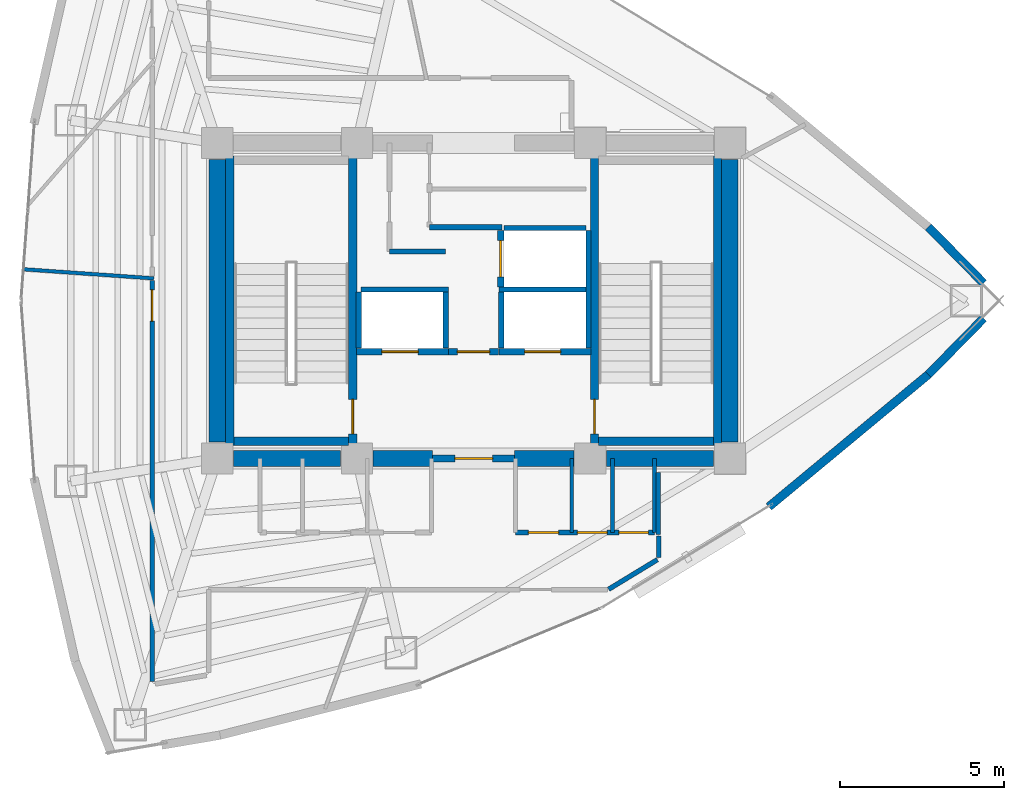
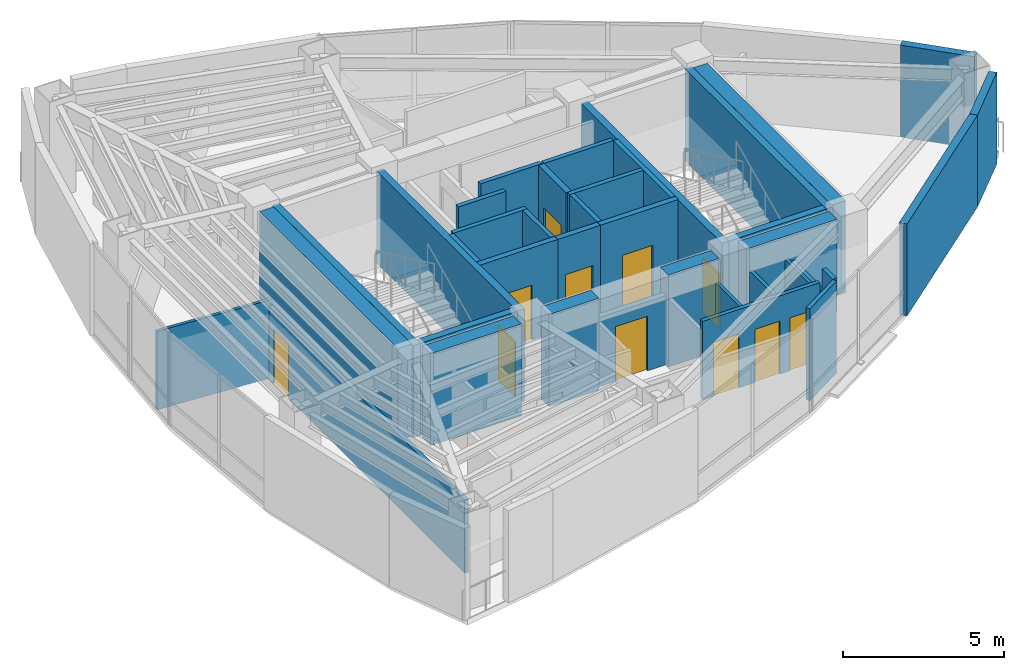
# One storey, part 12 of 15: 38 walls, 11 doors, 11 openings.
"""IFC4 building model written with IfcOpenShell, lengths in metres."""

from ifc_helpers import new_model, si_unit, direction, frame, frame_2d, origin, place, context, subcontext, project, spatial, rectangle, extrude, material, layer, layer_set, type_object, element, fill, save


model = new_model("IFC4")

# Units and contexts
model_context = context("Model", 3, precision=1e-05, world=origin(), true_north=direction((0.0, 1.0)))
body_context = subcontext(model_context, "Body", "Model", "MODEL_VIEW")
ifc_project = project(units=[si_unit("LENGTHUNIT", "METRE"), si_unit("AREAUNIT", "SQUARE_METRE"), si_unit("VOLUMEUNIT", "CUBIC_METRE"), si_unit("PLANEANGLEUNIT", "RADIAN"), si_unit("MASSUNIT", "GRAM", prefix="KILO")], contexts=[model_context])

# Site, building, storey
site_placement = place(None, origin())
site = spatial("IfcSite", under=ifc_project, at=site_placement, CompositionType="ELEMENT")
building_placement = place(site_placement, origin())
building = spatial("IfcBuilding", under=site, at=building_placement, Name="Menara Vayukalpa", CompositionType="ELEMENT")
storey_placement = place(building_placement, frame((0.0, 0.0, 226.97998046875)))
storey = spatial("IfcBuildingStorey", under=building, at=storey_placement, Name="L57", CompositionType="ELEMENT", Elevation=226.97998046875)

# Walls
ifc_material_1 = material(Name="Concrete C60/75", Category="concrete")
ifc_layer_1 = layer(ifc_material_1, 0.5)
ifc_layer_set_1 = layer_set([ifc_layer_1], Name="Concrete C60/75")
wall_type_1 = type_object("IfcWallType", Name="WAL-CW500", PredefinedType="SHEAR", material=ifc_layer_set_1)
wall_1_placement = place(storey_placement, frame((18.294921875, 17.199951171875, 0.0), z_axis=(0.0, 0.0, 1.0), x_axis=(1.0, 0.0, 0.0)))
element("IfcWall", 1, at=wall_1_placement, inside=storey, type_object=wall_type_1, Name="L57 Buttressed Core Shear Wall CWS1", PredefinedType="SHEAR", context=body_context, shape_type="SweptSolid", body=[
    extrude(rectangle(XDim=3.260009765625, YDim=0.5, at=frame_2d((1.6298828125, 0.0))), origin(), (0.0, 0.0, 1.0), 3.5),
])
wall_2_placement = place(storey_placement, frame((22.544921875, 17.199951171875, 0.0), z_axis=(0.0, 0.0, 1.0), x_axis=(1.0, 0.0, 0.0)))
element("IfcWall", 2, at=wall_2_placement, inside=storey, type_object=wall_type_1, Name="L57 Buttressed Core Shear Wall CWS2", PredefinedType="SHEAR", context=body_context, shape_type="SweptSolid", body=[
    extrude(rectangle(XDim=1.80517578125, YDim=0.5, at=frame_2d((0.902587890625, 0.0))), origin(), (0.0, 0.0, 1.0), 3.5),
])
wall_3_placement = place(storey_placement, frame((26.85009765625, 17.199951171875, 0.0), z_axis=(0.0, 0.0, 1.0), x_axis=(1.0, 0.0, 0.0)))
element("IfcWall", 3, at=wall_3_placement, inside=storey, type_object=wall_type_1, Name="L57 Buttressed Core Shear Wall CWS3", PredefinedType="SHEAR", context=body_context, shape_type="SweptSolid", body=[
    extrude(rectangle(XDim=1.804931640625, YDim=0.5, at=frame_2d((0.90234375, 0.0))), origin(), (0.0, 0.0, 1.0), 3.5),
])
wall_4_placement = place(storey_placement, frame((29.64501953125, 17.199951171875, 0.0), z_axis=(0.0, 0.0, 1.0), x_axis=(1.0, 0.0, 0.0)))
element("IfcWall", 4, at=wall_4_placement, inside=storey, type_object=wall_type_1, Name="L57 Buttressed Core Shear Wall CWS4", PredefinedType="SHEAR", context=body_context, shape_type="SweptSolid", body=[
    extrude(rectangle(XDim=3.260009765625, YDim=0.5, at=frame_2d((1.6298828125, 0.0))), origin(), (0.0, 0.0, 1.0), 3.5),
])
for number, where, z_axis, x_axis, name in (
    (5, (17.800048828125, 17.695068359375, 0.0), (0.0, 0.0, 1.0), (0.0, 1.0, 0.0), "L57 Buttressed Core Shear Wall CWW1"),
    (6, (33.39990234375, 17.695068359375, 0.0), (0.0, 0.0, 1.0), (0.0, 1.0, 0.0), "L57 Buttressed Core Shear Wall CWE1"),
):
    element("IfcWall", number, at=place(storey_placement, frame(where, z_axis=z_axis, x_axis=x_axis)), inside=storey, type_object=wall_type_1, Name=name, PredefinedType="SHEAR", context=body_context, shape_type="SweptSolid", body=[
        extrude(rectangle(XDim=8.60986328125, YDim=0.5, at=frame_2d((4.304931640625, 0.0))), origin(), (0.0, 0.0, 1.0), 3.5),
    ])
ifc_material_2 = material(Name="Insulated Precast Concrete C40/50", Category="concrete")
ifc_layer_2 = layer(ifc_material_2, 0.260009765625)
ifc_layer_set_2 = layer_set([ifc_layer_2], Name="Insulated Precast Concrete C40/50")
wall_type_2 = type_object("IfcWallType", Name="WAL-EXT260", PredefinedType="PARTITIONING", material=ifc_layer_set_2)
for number, where, z_axis, x_axis, name in (
    (7, (41.11669921875, 21.466552734375, 0.0), (0.0, 0.0, 1.0), (-0.700567481584, -0.7135861572, 0.0), "L57 Perimeter Terracotta Pier Wall 01"),
    (8, (39.43505859375, 24.246337890625, 0.0), (0.0, 0.0, 1.0), (0.700567481584, -0.7135861572, 0.0), "L57 Perimeter Terracotta Pier Wall 02"),
):
    element("IfcWall", number, at=place(storey_placement, frame(where, z_axis=z_axis, x_axis=x_axis)), inside=storey, type_object=wall_type_2, Name=name, PredefinedType="PARTITIONING", context=body_context, shape_type="SweptSolid", body=[
        extrude(rectangle(XDim=2.400390625, YDim=0.260009765625, at=frame_2d((1.2001953125, 0.0))), origin(), (0.0, 0.0, 1.0), 3.5),
    ])
wall_5_placement = place(storey_placement, frame((39.44384765625, 19.76171875, 0.0), z_axis=(0.0, 0.0, 1.0), x_axis=(-0.769765373155, -0.638326930571, 0.0)))
element("IfcWall", 9, at=wall_5_placement, inside=storey, type_object=wall_type_2, Name="L57 Perimeter Terracotta Pier Wall 18", PredefinedType="PARTITIONING", context=body_context, shape_type="SweptSolid", body=[
    extrude(rectangle(XDim=6.3154296875, YDim=0.260009765625, at=frame_2d((3.15771484375, 0.0))), origin(), (0.0, 0.0, 1.0), 3.5),
])
ifc_material_3 = material(Name="Lightweight Concrete Blockwork C16/20", Category="masonry")
ifc_layer_3 = layer(ifc_material_3, 0.159912109375)
ifc_layer_set_3 = layer_set([ifc_layer_3], Name="Lightweight Concrete Blockwork C16/20")
wall_type_3 = type_object("IfcWallType", Name="WAL-FR150", PredefinedType="PARTITIONING", material=ifc_layer_set_3)
for number, where, z_axis, x_axis, name in (
    (10, (22.10498046875, 20.56005859375, 0.0), (0.0, 0.0, 1.0), (0.0, 1.0, 0.0), "L57 Interior Partition IW-L57-SHW-WW"),
    (11, (24.7548828125, 20.56005859375, 0.0), (0.0, 0.0, 1.0), (0.0, 1.0, 0.0), "L57 Interior Partition IW-L57-SHW-W1E"),
):
    element("IfcWall", number, at=place(storey_placement, frame(where, z_axis=z_axis, x_axis=x_axis)), inside=storey, type_object=wall_type_3, Name=name, PredefinedType="PARTITIONING", context=body_context, shape_type="SweptSolid", body=[
        extrude(rectangle(XDim=1.7099609375, YDim=0.159912109375, at=frame_2d((0.85498046875, 0.0))), origin(), (0.0, 0.0, 1.0), 3.5),
    ])
wall_6_placement = place(storey_placement, frame((22.179931640625, 22.344970703125, 0.0), z_axis=(0.0, 0.0, 1.0), x_axis=(1.0, 0.0, 0.0)))
element("IfcWall", 12, at=wall_6_placement, inside=storey, type_object=wall_type_3, Name="L57 Interior Partition IW-L57-SHM-W12", PredefinedType="PARTITIONING", context=body_context, shape_type="SweptSolid", body=[
    extrude(rectangle(XDim=2.650146484375, YDim=0.159912109375, at=frame_2d((1.3251953125, 0.0))), origin(), (0.0, 0.0, 1.0), 3.5),
])
wall_7_placement = place(storey_placement, frame((29.094970703125, 20.56005859375, 0.0), z_axis=(0.0, 0.0, 1.0), x_axis=(0.0, 1.0, 0.0)))
element("IfcWall", 13, at=wall_7_placement, inside=storey, type_object=wall_type_3, Name="L57 Interior Partition IW-L57-SHW-EE", PredefinedType="PARTITIONING", context=body_context, shape_type="SweptSolid", body=[
    extrude(rectangle(XDim=3.579833984375, YDim=0.159912109375, at=frame_2d((1.7900390625, 0.0))), origin(), (0.0, 0.0, 1.0), 3.5),
])
wall_8_placement = place(storey_placement, frame((26.445068359375, 20.56005859375, 0.0), z_axis=(0.0, 0.0, 1.0), x_axis=(0.0, 1.0, 0.0)))
element("IfcWall", 14, at=wall_8_placement, inside=storey, type_object=wall_type_3, Name="L57 Interior Partition IW-L57-SHW-E1W", PredefinedType="PARTITIONING", context=body_context, shape_type="SweptSolid", body=[
    extrude(rectangle(XDim=1.7099609375, YDim=0.159912109375, at=frame_2d((0.85498046875, 0.0))), origin(), (0.0, 0.0, 1.0), 3.5),
])
wall_9_placement = place(storey_placement, frame((26.3701171875, 22.344970703125, 0.0), z_axis=(0.0, 0.0, 1.0), x_axis=(1.0, 0.0, 0.0)))
element("IfcWall", 15, at=wall_9_placement, inside=storey, type_object=wall_type_3, Name="L57 Interior Partition IW-L57-SHM-E13", PredefinedType="PARTITIONING", context=body_context, shape_type="SweptSolid", body=[
    extrude(rectangle(XDim=2.64990234375, YDim=0.159912109375, at=frame_2d((1.324951171875, 0.0))), origin(), (0.0, 0.0, 1.0), 3.5),
])
wall_10_placement = place(storey_placement, frame((26.530029296875, 24.215087890625, 0.0), z_axis=(0.0, 0.0, 1.0), x_axis=(1.0, 0.0, 0.0)))
element("IfcWall", 16, at=wall_10_placement, inside=storey, type_object=wall_type_3, Name="L57 Interior Partition IW-L57-SHM-E32", PredefinedType="PARTITIONING", context=body_context, shape_type="SweptSolid", body=[
    extrude(rectangle(XDim=2.489990234375, YDim=0.159912109375, at=frame_2d((1.2451171875, 0.0))), origin(), (0.0, 0.0, 1.0), 3.5),
])
wall_11_placement = place(storey_placement, frame((23.0400390625, 23.5, 0.0), z_axis=(0.0, 0.0, 1.0), x_axis=(1.0, 0.0, 0.0)))
element("IfcWall", 17, at=wall_11_placement, inside=storey, type_object=wall_type_3, Name="L57 Interior Partition IW-L57-LV7WA", PredefinedType="PARTITIONING", context=body_context, shape_type="SweptSolid", body=[
    extrude(rectangle(XDim=1.699951171875, YDim=0.159912109375, at=frame_2d((0.85009765625, 0.0))), origin(), (0.0, 0.0, 1.0), 3.5),
])
wall_12_placement = place(storey_placement, frame((24.260009765625, 24.239990234375, 0.0), z_axis=(0.0, 0.0, 1.0), x_axis=(1.0, 0.0, 0.0)))
element("IfcWall", 18, at=wall_12_placement, inside=storey, type_object=wall_type_3, Name="L57 Interior Partition IW-L57-LV7EA", PredefinedType="PARTITIONING", context=body_context, shape_type="SweptSolid", body=[
    extrude(rectangle(XDim=2.199951171875, YDim=0.159912109375, at=frame_2d((1.10009765625, 0.0))), origin(), (0.0, 0.0, 1.0), 3.5),
])

# Wall, opening, door
ifc_material_4 = material(Name="Lightweight Concrete Blockwork C16/20", Category="masonry")
ifc_layer_4 = layer(ifc_material_4, 0.199951171875)
ifc_layer_set_4 = layer_set([ifc_layer_4], Name="Lightweight Concrete Blockwork C16/20")
wall_type_4 = type_object("IfcWallType", Name="WAL-FR200", PredefinedType="PARTITIONING", material=ifc_layer_set_4)
wall_13_placement = place(storey_placement, frame((24.35009765625, 17.199951171875, 0.0), z_axis=(0.0, 0.0, 1.0), x_axis=(1.0, 0.0, 0.0)))
wall_13 = element("IfcWall", 19, at=wall_13_placement, inside=storey, type_object=wall_type_4, Name="L57 Interior Partition IW-L57-FFLS", PredefinedType="PARTITIONING", context=body_context, shape_type="SweptSolid", body=[
    extrude(rectangle(XDim=2.5, YDim=0.199951171875, at=frame_2d((1.25, 0.0))), origin(), (0.0, 0.0, 1.0), 2.630126953125),
])
opening_1_placement = place(wall_13_placement, frame((0.679931640625, 0.0, 0.0)))
opening_1 = element("IfcOpeningElement", 20, at=opening_1_placement, cuts=wall_13, Name="Opening ID2", PredefinedType="OPENING", context=body_context, shape_type="SweptSolid", body=[
    extrude(rectangle(XDim=1.14990234375, YDim=2.080078125, at=frame_2d((0.574951171875, 1.0400390625))), frame((0.0, 0.10986328125, 0.0), z_axis=(0.0, -1.0, 0.0), x_axis=(1.0, 0.0, 0.0)), (0.0, 0.0, 1.0), 0.219970703125),
])
ifc_material_5 = material(Name="Fire-Rated Powder-Coated Steel Door", Category="steel")
door_type_1 = type_object("IfcDoorType", Name="DR-FD60W", OperationType="NOTDEFINED", PredefinedType="DOOR", material=ifc_material_5)
door_1_placement = place(opening_1_placement, origin())
door_1 = element("IfcDoor", 21, at=door_1_placement, inside=storey, type_object=door_type_1, Name="L57 Interior Door DR-L57-FFLS", OperationType="SINGLE_SWING_RIGHT", OverallHeight=2.080078125, OverallWidth=1.14990234375, PredefinedType="DOOR", context=body_context, shape_type="SweptSolid", body=[
    extrude(rectangle(XDim=1.14990234375, YDim=2.080078125, at=frame_2d((0.574951171875, 1.0400390625))), frame((0.0, 0.02490234375, 0.0), z_axis=(0.0, -1.0, 0.0), x_axis=(1.0, 0.0, 0.0)), (0.0, 0.0, 1.0), 0.050048828125),
])
fill(opening_1, door_1)

wall_14_placement = place(storey_placement, frame((24.840087890625, 20.449951171875, 0.0), z_axis=(0.0, 0.0, 1.0), x_axis=(1.0, 0.0, 0.0)))
wall_14 = element("IfcWall", 22, at=wall_14_placement, inside=storey, type_object=wall_type_4, Name="L57 Interior Partition IW-L57-FFLN", PredefinedType="PARTITIONING", context=body_context, shape_type="SweptSolid", body=[
    extrude(rectangle(XDim=1.52001953125, YDim=0.199951171875, at=frame_2d((0.760009765625, 0.0))), origin(), (0.0, 0.0, 1.0), 3.5),
])
opening_2_placement = place(wall_14_placement, frame((0.27001953125, 0.0, 0.0)))
opening_2 = element("IfcOpeningElement", 23, at=opening_2_placement, cuts=wall_14, Name="Opening ID3", PredefinedType="OPENING", context=body_context, shape_type="SweptSolid", body=[
    extrude(rectangle(XDim=0.97998046875, YDim=2.06005859375, at=frame_2d((0.489990234375, 1.030029296875))), frame((0.0, 0.10986328125, 0.0), z_axis=(0.0, -1.0, 0.0), x_axis=(1.0, 0.0, 0.0)), (0.0, 0.0, 1.0), 0.219970703125),
])
ifc_material_6 = material(Name="Fire-Rated Powder-Coated Steel Door", Category="steel")
door_type_2 = type_object("IfcDoorType", Name="DR-FD60", OperationType="NOTDEFINED", PredefinedType="DOOR", material=ifc_material_6)
door_2_placement = place(opening_2_placement, origin())
door_2 = element("IfcDoor", 24, at=door_2_placement, inside=storey, type_object=door_type_2, Name="L57 Interior Door DR-L57-FFLN", OperationType="SINGLE_SWING_LEFT", OverallHeight=2.06005859375, OverallWidth=0.97998046875, PredefinedType="DOOR", context=body_context, shape_type="SweptSolid", body=[
    extrude(rectangle(XDim=0.97998046875, YDim=2.06005859375, at=frame_2d((0.489990234375, 1.030029296875))), frame((0.0, 0.02490234375, 0.0), z_axis=(0.0, -1.0, 0.0), x_axis=(1.0, 0.0, 0.0)), (0.0, 0.0, 1.0), 0.050048828125),
])
fill(opening_2, door_2)

wall_15_placement = place(storey_placement, frame((22.030029296875, 20.449951171875, 0.0), z_axis=(0.0, 0.0, 1.0), x_axis=(1.0, 0.0, 0.0)))
wall_15 = element("IfcWall", 25, at=wall_15_placement, inside=storey, type_object=wall_type_4, Name="L57 Interior Partition IW-L57-SH-W1", PredefinedType="PARTITIONING", context=body_context, shape_type="SweptSolid", body=[
    extrude(rectangle(XDim=2.800048828125, YDim=0.199951171875, at=frame_2d((1.39990234375, 0.0))), origin(), (0.0, 0.0, 1.0), 3.5),
])
opening_3_placement = place(wall_15_placement, frame((0.780029296875, 0.0, 0.0)))
opening_3 = element("IfcOpeningElement", 26, at=opening_3_placement, cuts=wall_15, Name="Opening LD1", PredefinedType="OPENING", context=body_context, shape_type="SweptSolid", body=[
    extrude(rectangle(XDim=1.10009765625, YDim=2.080078125, at=frame_2d((0.550048828125, 1.0400390625))), frame((0.0, 0.10986328125, 0.0), z_axis=(0.0, -1.0, 0.0), x_axis=(1.0, 0.0, 0.0)), (0.0, 0.0, 1.0), 0.219970703125),
])
ifc_material_7 = material(Name="Brushed Stainless Steel 316 Lift Door", Category="steel")
door_type_3 = type_object("IfcDoorType", Name="DR-LD110", OperationType="NOTDEFINED", PredefinedType="DOOR", material=ifc_material_7)
door_3_placement = place(opening_3_placement, origin())
door_3 = element("IfcDoor", 27, at=door_3_placement, inside=storey, type_object=door_type_3, Name="L57 Interior Door DR-L57-LD-W1", OperationType="DOUBLE_DOOR_SLIDING", OverallHeight=2.080078125, OverallWidth=1.10009765625, PredefinedType="DOOR", context=body_context, shape_type="SweptSolid", body=[
    extrude(rectangle(XDim=1.10009765625, YDim=2.080078125, at=frame_2d((0.550048828125, 1.0400390625))), frame((0.0, 0.02490234375, 0.0), z_axis=(0.0, -1.0, 0.0), x_axis=(1.0, 0.0, 0.0)), (0.0, 0.0, 1.0), 0.050048828125),
])
fill(opening_3, door_3)

wall_16_placement = place(storey_placement, frame((26.3701171875, 20.449951171875, 0.0), z_axis=(0.0, 0.0, 1.0), x_axis=(1.0, 0.0, 0.0)))
wall_16 = element("IfcWall", 28, at=wall_16_placement, inside=storey, type_object=wall_type_4, Name="L57 Interior Partition IW-L57-SH-E1", PredefinedType="PARTITIONING", context=body_context, shape_type="SweptSolid", body=[
    extrude(rectangle(XDim=2.7998046875, YDim=0.199951171875, at=frame_2d((1.39990234375, 0.0))), origin(), (0.0, 0.0, 1.0), 3.5),
])
opening_4_placement = place(wall_16_placement, frame((0.780029296875, 0.0, 0.0)))
opening_4 = element("IfcOpeningElement", 29, at=opening_4_placement, cuts=wall_16, Name="Opening LD1", PredefinedType="OPENING", context=body_context, shape_type="SweptSolid", body=[
    extrude(rectangle(XDim=1.10009765625, YDim=2.080078125, at=frame_2d((0.550048828125, 1.0400390625))), frame((0.0, 0.10986328125, 0.0), z_axis=(0.0, -1.0, 0.0), x_axis=(1.0, 0.0, 0.0)), (0.0, 0.0, 1.0), 0.219970703125),
])
door_4_placement = place(opening_4_placement, origin())
door_4 = element("IfcDoor", 30, at=door_4_placement, inside=storey, type_object=door_type_3, Name="L57 Interior Door DR-L57-LD-E1", OperationType="DOUBLE_DOOR_SLIDING", OverallHeight=2.080078125, OverallWidth=1.10009765625, PredefinedType="DOOR", context=body_context, shape_type="SweptSolid", body=[
    extrude(rectangle(XDim=1.10009765625, YDim=2.080078125, at=frame_2d((0.550048828125, 1.0400390625))), frame((0.0, 0.02490234375, 0.0), z_axis=(0.0, -1.0, 0.0), x_axis=(1.0, 0.0, 0.0)), (0.0, 0.0, 1.0), 0.050048828125),
])
fill(opening_4, door_4)

wall_17_placement = place(storey_placement, frame((26.419921875, 22.419921875, 0.0), z_axis=(0.0, 0.0, 1.0), x_axis=(0.0, 1.0, 0.0)))
wall_17 = element("IfcWall", 31, at=wall_17_placement, inside=storey, type_object=wall_type_4, Name="L57 Interior Partition IW-L57-SH-E3", PredefinedType="PARTITIONING", context=body_context, shape_type="SweptSolid", body=[
    extrude(rectangle(XDim=1.719970703125, YDim=0.199951171875, at=frame_2d((0.85986328125, 0.0))), origin(), (0.0, 0.0, 1.0), 3.5),
])
opening_5_placement = place(wall_17_placement, frame((0.31005859375, 0.0, 0.0)))
opening_5 = element("IfcOpeningElement", 32, at=opening_5_placement, cuts=wall_17, Name="Opening LD1", PredefinedType="OPENING", context=body_context, shape_type="SweptSolid", body=[
    extrude(rectangle(XDim=1.10009765625, YDim=2.080078125, at=frame_2d((0.550048828125, 1.0400390625))), frame((0.0, 0.10986328125, 0.0), z_axis=(0.0, -1.0, 0.0), x_axis=(1.0, 0.0, 0.0)), (0.0, 0.0, 1.0), 0.219970703125),
])
door_5_placement = place(opening_5_placement, origin())
door_5 = element("IfcDoor", 33, at=door_5_placement, inside=storey, type_object=door_type_3, Name="L57 Interior Door DR-L57-LD-E3", OperationType="DOUBLE_DOOR_SLIDING", OverallHeight=2.080078125, OverallWidth=1.10009765625, PredefinedType="DOOR", context=body_context, shape_type="SweptSolid", body=[
    extrude(rectangle(XDim=1.10009765625, YDim=2.080078125, at=frame_2d((0.550048828125, 1.0400390625))), frame((0.0, 0.02490234375, 0.0), z_axis=(0.0, -1.0, 0.0), x_axis=(1.0, 0.0, 0.0)), (0.0, 0.0, 1.0), 0.050048828125),
])
fill(opening_5, door_5)

# Walls
ifc_material_8 = material(Name="Acoustic Mineral Stud Partition", Category="masonry")
ifc_layer_5 = layer(ifc_material_8, 0.110107421875)
ifc_layer_set_5 = layer_set([ifc_layer_5], Name="Acoustic Mineral Stud Partition")
wall_type_5 = type_object("IfcWallType", Name="WAL-PT110", PredefinedType="PARTITIONING", material=ifc_layer_set_5)
wall_18_placement = place(storey_placement, frame((28.590087890625, 14.949951171875, 0.0), z_axis=(0.0, 0.0, 1.0), x_axis=(0.0, 1.0, 0.0)))
element("IfcWall", 34, at=wall_18_placement, inside=storey, type_object=wall_type_5, Name="L57 Interior Partition IW-L57-SVCD-06", PredefinedType="PARTITIONING", context=body_context, shape_type="SweptSolid", body=[
    extrude(rectangle(XDim=2.25, YDim=0.110107421875, at=frame_2d((1.125, 0.0))), origin(), (0.0, 0.0, 1.0), 2.630126953125),
])
wall_19_placement = place(storey_placement, frame((15.8701171875, 22.680419921875, 0.0), z_axis=(0.0, 0.0, 1.0), x_axis=(-0.997563019159, 0.069771217613, 0.0)))
element("IfcWall", 35, at=wall_19_placement, inside=storey, type_object=wall_type_5, Name="L57 Interior Partition IW-L57-RDIV03", PredefinedType="PARTITIONING", context=body_context, shape_type="SweptSolid", body=[
    extrude(rectangle(XDim=3.985595703125, YDim=0.110107421875, at=frame_2d((1.99267578125, 0.0))), origin(), (0.0, 0.0, 1.0), 2.97998046875),
])
ifc_material_9 = material(Name="Gypsum Drywall Steel Stud Assembly", Category="steel")
ifc_layer_6 = layer(ifc_material_9, 0.125)
ifc_layer_set_6 = layer_set([ifc_layer_6], Name="Gypsum Drywall Steel Stud Assembly")
wall_type_6 = type_object("IfcWallType", Name="WAL-PT125", PredefinedType="PARTITIONING", material=ifc_layer_set_6)
for number, where, z_axis, x_axis, name in (
    (36, (29.830078125, 14.949951171875, 0.0), (0.0, 0.0, 1.0), (0.0, 1.0, 0.0), "L57 Interior Partition IW-L57-SVCD-07"),
    (37, (31.10009765625, 14.949951171875, 0.0), (0.0, 0.0, 1.0), (0.0, 1.0, 0.0), "L57 Interior Partition IW-L57-SVCD-08"),
):
    element("IfcWall", number, at=place(storey_placement, frame(where, z_axis=z_axis, x_axis=x_axis)), inside=storey, type_object=wall_type_6, Name=name, PredefinedType="PARTITIONING", context=body_context, shape_type="SweptSolid", body=[
        extrude(rectangle(XDim=2.25, YDim=0.125, at=frame_2d((1.125, 0.0))), origin(), (0.0, 0.0, 1.0), 2.630126953125),
    ])

# Wall, openings, doors
ifc_material_10 = material(Name="Gypsum Drywall Acoustic Stud Assembly", Category="masonry")
ifc_layer_7 = layer(ifc_material_10, 0.14501953125)
ifc_layer_set_7 = layer_set([ifc_layer_7], Name="Gypsum Drywall Acoustic Stud Assembly")
wall_type_7 = type_object("IfcWallType", Name="WAL-PT150", PredefinedType="PARTITIONING", material=ifc_layer_set_7)
wall_20_placement = place(storey_placement, frame((26.8798828125, 14.949951171875, 0.0), z_axis=(0.0, 0.0, 1.0), x_axis=(1.0, 0.0, 0.0)))
wall_20 = element("IfcWall", 38, at=wall_20_placement, inside=storey, type_object=wall_type_7, Name="L57 Interior Partition IW-L57-SVCS-E", PredefinedType="PARTITIONING", context=body_context, shape_type="SweptSolid", body=[
    extrude(rectangle(XDim=4.22021484375, YDim=0.14501953125, at=frame_2d((2.110107421875, 0.0))), origin(), (0.0, 0.0, 1.0), 2.97998046875),
])
opening_6_placement = place(wall_20_placement, frame((0.389892578125, 0.0, 0.0)))
opening_6 = element("IfcOpeningElement", 39, at=opening_6_placement, cuts=wall_20, Name="Opening ID6", PredefinedType="OPENING", context=body_context, shape_type="SweptSolid", body=[
    extrude(rectangle(XDim=0.919921875, YDim=2.050048828125, at=frame_2d((0.4599609375, 1.02490234375))), frame((0.0, 0.08251953125, 0.0), z_axis=(0.0, -1.0, 0.0), x_axis=(1.0, 0.0, 0.0)), (0.0, 0.0, 1.0), 0.1650390625),
])
opening_7_placement = place(wall_20_placement, frame((1.8798828125, 0.0, 0.0)))
opening_7 = element("IfcOpeningElement", 40, at=opening_7_placement, cuts=wall_20, Name="Opening ID7", PredefinedType="OPENING", context=body_context, shape_type="SweptSolid", body=[
    extrude(rectangle(XDim=0.89990234375, YDim=2.02001953125, at=frame_2d((0.449951171875, 1.010009765625))), frame((0.0, 0.08251953125, 0.0), z_axis=(0.0, -1.0, 0.0), x_axis=(1.0, 0.0, 0.0)), (0.0, 0.0, 1.0), 0.1650390625),
])
opening_8_placement = place(wall_20_placement, frame((3.139892578125, 0.0, 0.0)))
opening_8 = element("IfcOpeningElement", 41, at=opening_8_placement, cuts=wall_20, Name="Opening ID7", PredefinedType="OPENING", context=body_context, shape_type="SweptSolid", body=[
    extrude(rectangle(XDim=0.89990234375, YDim=2.02001953125, at=frame_2d((0.449951171875, 1.010009765625))), frame((0.0, 0.08251953125, 0.0), z_axis=(0.0, -1.0, 0.0), x_axis=(1.0, 0.0, 0.0)), (0.0, 0.0, 1.0), 0.1650390625),
])
ifc_material_11 = material(Name="Acoustic Hardwood Veneer Timber Door", Category="wood")
door_type_4 = type_object("IfcDoorType", Name="DR-INT92", OperationType="NOTDEFINED", PredefinedType="DOOR", material=ifc_material_11)
door_6_placement = place(opening_6_placement, origin())
door_6 = element("IfcDoor", 42, at=door_6_placement, inside=storey, type_object=door_type_4, Name="L57 Interior Door DR-L57-KSV1", OperationType="SINGLE_SWING_RIGHT", OverallHeight=2.050048828125, OverallWidth=0.919921875, PredefinedType="DOOR", context=body_context, shape_type="SweptSolid", body=[
    extrude(rectangle(XDim=0.919921875, YDim=2.050048828125, at=frame_2d((0.4599609375, 1.02490234375))), frame((0.0, 0.02490234375, 0.0), z_axis=(0.0, -1.0, 0.0), x_axis=(1.0, 0.0, 0.0)), (0.0, 0.0, 1.0), 0.050048828125),
])
fill(opening_6, door_6)
ifc_material_12 = material(Name="Powder-Coated Steel Riser Access Door", Category="steel")
door_type_5 = type_object("IfcDoorType", Name="DR-RISER", OperationType="NOTDEFINED", PredefinedType="DOOR", material=ifc_material_12)
door_7_placement = place(opening_7_placement, origin())
door_7 = element("IfcDoor", 43, at=door_7_placement, inside=storey, type_object=door_type_5, Name="L57 Interior Door DR-L57-KSV2", OperationType="SINGLE_SWING_LEFT", OverallHeight=2.02001953125, OverallWidth=0.89990234375, PredefinedType="DOOR", context=body_context, shape_type="SweptSolid", body=[
    extrude(rectangle(XDim=0.89990234375, YDim=2.02001953125, at=frame_2d((0.449951171875, 1.010009765625))), frame((0.0, 0.02490234375, 0.0), z_axis=(0.0, -1.0, 0.0), x_axis=(1.0, 0.0, 0.0)), (0.0, 0.0, 1.0), 0.050048828125),
])
fill(opening_7, door_7)
door_8_placement = place(opening_8_placement, origin())
door_8 = element("IfcDoor", 44, at=door_8_placement, inside=storey, type_object=door_type_5, Name="L57 Interior Door DR-L57-SMD", OperationType="SINGLE_SWING_RIGHT", OverallHeight=2.02001953125, OverallWidth=0.89990234375, PredefinedType="DOOR", context=body_context, shape_type="SweptSolid", body=[
    extrude(rectangle(XDim=0.89990234375, YDim=2.02001953125, at=frame_2d((0.449951171875, 1.010009765625))), frame((0.0, 0.02490234375, 0.0), z_axis=(0.0, -1.0, 0.0), x_axis=(1.0, 0.0, 0.0)), (0.0, 0.0, 1.0), 0.050048828125),
])
fill(opening_8, door_8)

# Wall, opening, door
wall_21_placement = place(storey_placement, frame((15.820068359375, 22.61376953125, 0.0), z_axis=(0.0, 0.0, 1.0), x_axis=(0.0, -1.0, 0.0)))
wall_21 = element("IfcWall", 45, at=wall_21_placement, inside=storey, type_object=wall_type_7, Name="L57 Interior Partition IW-L57-CRM01-1", PredefinedType="PARTITIONING", context=body_context, shape_type="SweptSolid", body=[
    extrude(rectangle(XDim=12.19287109375, YDim=0.14501953125, at=frame_2d((6.096435546875, 0.0))), origin(), (0.0, 0.0, 1.0), 2.780029296875),
])
opening_9_placement = place(wall_21_placement, frame((0.280029296875, 0.0, 0.0)))
opening_9 = element("IfcOpeningElement", 46, at=opening_9_placement, cuts=wall_21, Name="Opening ID5", PredefinedType="OPENING", context=body_context, shape_type="SweptSolid", body=[
    extrude(rectangle(XDim=0.949951171875, YDim=2.06005859375, at=frame_2d((0.47509765625, 1.030029296875))), frame((0.0, 0.08251953125, 0.0), z_axis=(0.0, -1.0, 0.0), x_axis=(1.0, 0.0, 0.0)), (0.0, 0.0, 1.0), 0.1650390625),
])
ifc_material_13 = material(Name="Acoustic Hardwood Veneer Timber Door", Category="wood")
door_type_6 = type_object("IfcDoorType", Name="DR-INT95", OperationType="NOTDEFINED", PredefinedType="DOOR", material=ifc_material_13)
door_9_placement = place(opening_9_placement, origin())
door_9 = element("IfcDoor", 47, at=door_9_placement, inside=storey, type_object=door_type_6, Name="L57 Interior Door DR-L57-RM01", OperationType="SINGLE_SWING_LEFT", OverallHeight=2.06005859375, OverallWidth=0.949951171875, PredefinedType="DOOR", context=body_context, shape_type="SweptSolid", body=[
    extrude(rectangle(XDim=0.949951171875, YDim=2.06005859375, at=frame_2d((0.47509765625, 1.030029296875))), frame((0.0, 0.02490234375, 0.0), z_axis=(0.0, -1.0, 0.0), x_axis=(1.0, 0.0, 0.0)), (0.0, 0.0, 1.0), 0.050048828125),
])
fill(opening_9, door_9)

# Walls
wall_22_placement = place(storey_placement, frame((29.708984375, 13.2216796875, 0.0), z_axis=(0.0, 0.0, 1.0), x_axis=(0.854635840942, 0.519227868451, 0.0)))
element("IfcWall", 48, at=wall_22_placement, inside=storey, type_object=wall_type_7, Name="L57 Interior Partition IW-L57-CRM03-2", PredefinedType="PARTITIONING", context=body_context, shape_type="SweptSolid", body=[
    extrude(rectangle(XDim=1.734619140625, YDim=0.14501953125, at=frame_2d((0.8671875, 0.0))), origin(), (0.0, 0.0, 1.0), 3.5),
])
wall_23_placement = place(storey_placement, frame((31.22998046875, 14.190673828125, 0.0), z_axis=(0.0, 0.0, 1.0), x_axis=(0.0, 1.0, 0.0)))
element("IfcWall", 49, at=wall_23_placement, inside=storey, type_object=wall_type_7, Name="L57 Interior Partition IW-L57-CRM03-3", PredefinedType="PARTITIONING", context=body_context, shape_type="SweptSolid", body=[
    extrude(rectangle(XDim=0.659423828125, YDim=0.14501953125, at=frame_2d((0.32958984375, 0.0))), origin(), (0.0, 0.0, 1.0), 3.5),
])
wall_24_placement = place(storey_placement, frame((31.219970703125, 14.888671875, 0.0), z_axis=(0.0, 0.0, 1.0), x_axis=(0.0, 1.0, 0.0)))
element("IfcWall", 50, at=wall_24_placement, inside=storey, type_object=wall_type_7, Name="L57 Interior Partition IW-L57-CRM03-4", PredefinedType="PARTITIONING", context=body_context, shape_type="SweptSolid", body=[
    extrude(rectangle(XDim=1.891357421875, YDim=0.14501953125, at=frame_2d((0.94580078125, 0.0))), origin(), (0.0, 0.0, 1.0), 2.630126953125),
])
ifc_material_14 = material(Name="Concrete C50/60", Category="concrete")
ifc_layer_8 = layer(ifc_material_14, 0.25)
ifc_layer_set_8 = layer_set([ifc_layer_8], Name="Concrete C50/60")
wall_type_8 = type_object("IfcWallType", Name="WAL-SW250", PredefinedType="SHEAR", material=ifc_layer_set_8)
wall_25_placement = place(storey_placement, frame((18.178955078125, 17.60009765625, 0.0), z_axis=(0.0, 0.0, 1.0), x_axis=(0.0, 1.0, 0.0)))
element("IfcWall", 51, at=wall_25_placement, inside=storey, type_object=wall_type_8, Name="L57 ST1 Structural Stair Shaft Wall W", PredefinedType="SHEAR", context=body_context, shape_type="SweptSolid", body=[
    extrude(rectangle(XDim=8.7998046875, YDim=0.25, at=frame_2d((4.39990234375, 0.0))), origin(), (0.0, 0.0, 1.0), 3.5),
])

# Wall, opening, door
wall_26_placement = place(storey_placement, frame((21.925048828125, 17.60009765625, 0.0), z_axis=(0.0, 0.0, 1.0), x_axis=(0.0, 1.0, 0.0)))
wall_26 = element("IfcWall", 52, at=wall_26_placement, inside=storey, type_object=wall_type_8, Name="L57 ST1 Structural Stair Shaft Wall E", PredefinedType="SHEAR", context=body_context, shape_type="SweptSolid", body=[
    extrude(rectangle(XDim=8.7998046875, YDim=0.25, at=frame_2d((4.39990234375, 0.0))), origin(), (0.0, 0.0, 1.0), 3.5),
])
opening_10_placement = place(wall_26_placement, frame((0.35009765625, 0.0, 0.0)))
opening_10 = element("IfcOpeningElement", 53, at=opening_10_placement, cuts=wall_26, Name="Opening ID1", PredefinedType="OPENING", context=body_context, shape_type="SweptSolid", body=[
    extrude(rectangle(XDim=1.050048828125, YDim=2.080078125, at=frame_2d((0.52490234375, 1.0400390625))), frame((0.0, 0.135009765625, 0.0), z_axis=(0.0, -1.0, 0.0), x_axis=(1.0, 0.0, 0.0)), (0.0, 0.0, 1.0), 0.27001953125),
])
ifc_material_15 = material(Name="Fire-Rated Powder-Coated Steel Door", Category="steel")
door_type_7 = type_object("IfcDoorType", Name="DR-FD120", OperationType="NOTDEFINED", PredefinedType="DOOR", material=ifc_material_15)
door_10_placement = place(opening_10_placement, origin())
door_10 = element("IfcDoor", 54, at=door_10_placement, inside=storey, type_object=door_type_7, Name="L57 Stair Exit Door DR-L57-ST1", OperationType="SINGLE_SWING_LEFT", OverallHeight=2.080078125, OverallWidth=1.050048828125, PredefinedType="DOOR", context=body_context, shape_type="SweptSolid", body=[
    extrude(rectangle(XDim=1.050048828125, YDim=2.080078125, at=frame_2d((0.52490234375, 1.0400390625))), frame((0.0, 0.02490234375, 0.0), z_axis=(0.0, -1.0, 0.0), x_axis=(1.0, 0.0, 0.0)), (0.0, 0.0, 1.0), 0.050048828125),
])
fill(opening_10, door_10)

# Wall
wall_27_placement = place(storey_placement, frame((18.303955078125, 17.72509765625, 0.0), z_axis=(0.0, 0.0, 1.0), x_axis=(1.0, 0.0, 0.0)))
element("IfcWall", 55, at=wall_27_placement, inside=storey, type_object=wall_type_8, Name="L57 ST1 Structural Stair Shaft Wall S", PredefinedType="SHEAR", context=body_context, shape_type="SweptSolid", body=[
    extrude(rectangle(XDim=3.49609375, YDim=0.25, at=frame_2d((1.748046875, 0.0))), origin(), (0.0, 0.0, 1.0), 3.5),
])

# Wall, opening, door
wall_28_placement = place(storey_placement, frame((29.27490234375, 17.60009765625, 0.0), z_axis=(0.0, 0.0, 1.0), x_axis=(0.0, 1.0, 0.0)))
wall_28 = element("IfcWall", 56, at=wall_28_placement, inside=storey, type_object=wall_type_8, Name="L57 ST2 Structural Stair Shaft Wall W", PredefinedType="SHEAR", context=body_context, shape_type="SweptSolid", body=[
    extrude(rectangle(XDim=8.7998046875, YDim=0.25, at=frame_2d((4.39990234375, 0.0))), origin(), (0.0, 0.0, 1.0), 3.5),
])
opening_11_placement = place(wall_28_placement, frame((0.35009765625, 0.0, 0.0)))
opening_11 = element("IfcOpeningElement", 57, at=opening_11_placement, cuts=wall_28, Name="Opening ID1", PredefinedType="OPENING", context=body_context, shape_type="SweptSolid", body=[
    extrude(rectangle(XDim=1.050048828125, YDim=2.080078125, at=frame_2d((0.52490234375, 1.0400390625))), frame((0.0, 0.135009765625, 0.0), z_axis=(0.0, -1.0, 0.0), x_axis=(1.0, 0.0, 0.0)), (0.0, 0.0, 1.0), 0.27001953125),
])
door_11_placement = place(opening_11_placement, origin())
door_11 = element("IfcDoor", 58, at=door_11_placement, inside=storey, type_object=door_type_7, Name="L57 Stair Exit Door DR-L57-ST2", OperationType="SINGLE_SWING_RIGHT", OverallHeight=2.080078125, OverallWidth=1.050048828125, PredefinedType="DOOR", context=body_context, shape_type="SweptSolid", body=[
    extrude(rectangle(XDim=1.050048828125, YDim=2.080078125, at=frame_2d((0.52490234375, 1.0400390625))), frame((0.0, 0.02490234375, 0.0), z_axis=(0.0, -1.0, 0.0), x_axis=(1.0, 0.0, 0.0)), (0.0, 0.0, 1.0), 0.050048828125),
])
fill(opening_11, door_11)

# Walls
wall_29_placement = place(storey_placement, frame((33.02099609375, 17.60009765625, 0.0), z_axis=(0.0, 0.0, 1.0), x_axis=(0.0, 1.0, 0.0)))
element("IfcWall", 59, at=wall_29_placement, inside=storey, type_object=wall_type_8, Name="L57 ST2 Structural Stair Shaft Wall E", PredefinedType="SHEAR", context=body_context, shape_type="SweptSolid", body=[
    extrude(rectangle(XDim=8.7998046875, YDim=0.25, at=frame_2d((4.39990234375, 0.0))), origin(), (0.0, 0.0, 1.0), 3.5),
])
wall_30_placement = place(storey_placement, frame((29.39990234375, 17.72509765625, 0.0), z_axis=(0.0, 0.0, 1.0), x_axis=(1.0, 0.0, 0.0)))
element("IfcWall", 60, at=wall_30_placement, inside=storey, type_object=wall_type_8, Name="L57 ST2 Structural Stair Shaft Wall S", PredefinedType="SHEAR", context=body_context, shape_type="SweptSolid", body=[
    extrude(rectangle(XDim=3.49609375, YDim=0.25, at=frame_2d((1.748046875, 0.0))), origin(), (0.0, 0.0, 1.0), 3.5),
])

save(model, "model.ifc")
